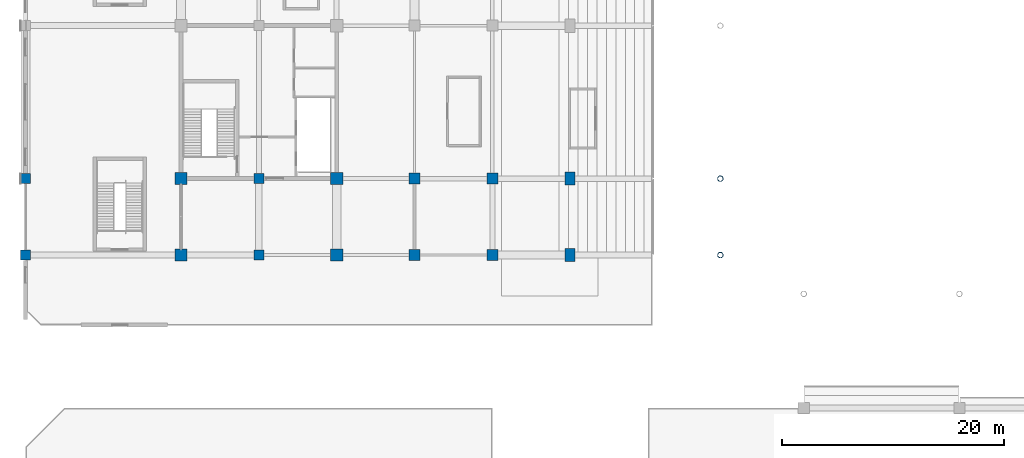
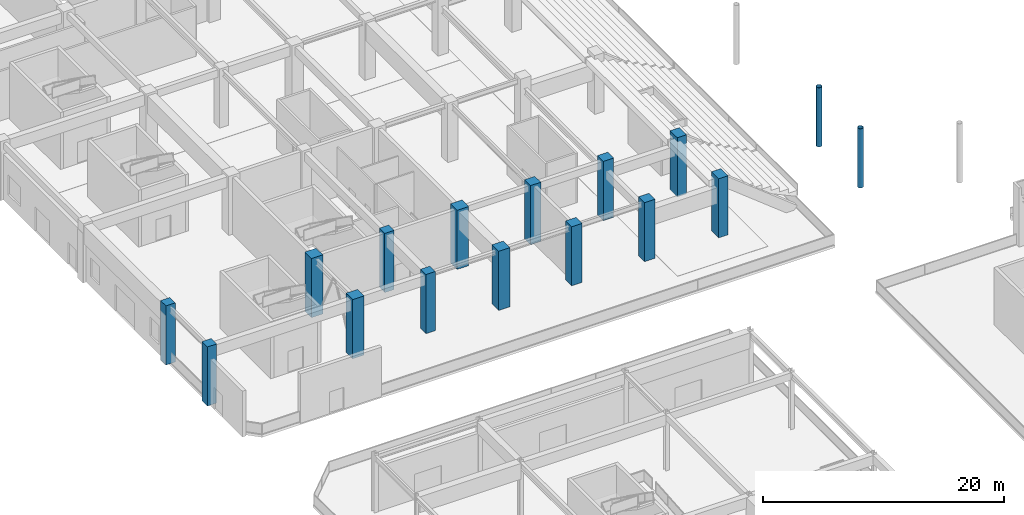
# One storey, part 3 of 73: 16 columns.
"""IFC4 building model written with IfcOpenShell, lengths in metres."""

from ifc_helpers import new_model, si_unit, direction, frame, origin, origin_2d, place, context, subcontext, project, spatial, rectangle, hollow_circle, extrude, material, material_profile, profile_set, type_object, element, save


model = new_model("IFC4")

# Units and contexts
model_context = context("Model", 3, precision=1e-05, world=origin(), true_north=direction((0.0, 1.0)))
body_context = subcontext(model_context, "Body", "Model", "MODEL_VIEW")
ifc_project = project(units=[si_unit("LENGTHUNIT", "METRE"), si_unit("AREAUNIT", "SQUARE_METRE"), si_unit("VOLUMEUNIT", "CUBIC_METRE"), si_unit("PLANEANGLEUNIT", "RADIAN"), si_unit("MASSUNIT", "GRAM", prefix="KILO")], contexts=[model_context])

# Site, building, storey
site_placement = place(None, origin())
site = spatial("IfcSite", under=ifc_project, at=site_placement, CompositionType="ELEMENT")
building_placement = place(site_placement, origin())
building = spatial("IfcBuilding", under=site, at=building_placement, Name="Linyun Crest Stadium", CompositionType="ELEMENT")
storey_placement = place(building_placement, origin())
storey = spatial("IfcBuildingStorey", under=building, at=storey_placement, Name="L01", CompositionType="ELEMENT", Elevation=0.0)

# Columns
ifc_material_1 = material(Name="Concrete C50", Category="concrete")
ifc_material_profile_1 = material_profile(ifc_material_1, rectangle(XDim=0.89990234375, YDim=0.89990234375, at=origin_2d()), Name="RC 900x900")
ifc_profile_set_1 = profile_set([ifc_material_profile_1], Name="Concrete C50")
column_type_1 = type_object("IfcColumnType", Name="C04", PredefinedType="COLUMN", material=ifc_profile_set_1)
for number, where, z_axis, x_axis, name in (
    (1, (-98.0, -46.0, 0.0), (0.0, 0.0, 1.0), (1.0, 0.0, 0.0), "Column C04 L01 2"),
    (2, (-98.0, -39.125, 0.0), (0.0, 0.0, 1.0), (1.0, 0.0, 0.0), "Column C04 L01 8"),
    (3, (-77.0, -46.0, 0.0), (0.0, 0.0, 1.0), (1.0, 0.0, 0.0), "Column C04 L01 106"),
    (4, (-77.0, -39.125, 0.0), (0.0, 0.0, 1.0), (1.0, 0.0, 0.0), "Column C04 L01 111"),
):
    element("IfcColumn", number, at=place(storey_placement, frame(where, z_axis=z_axis, x_axis=x_axis)), inside=storey, type_object=column_type_1, Name=name, PredefinedType="COLUMN", context=body_context, shape_type="SweptSolid", body=[
        extrude(rectangle(XDim=0.89990234375, YDim=0.89990234375, at=origin_2d()), origin(), (0.0, 0.0, 1.0), 5.998046875),
    ])
ifc_material_2 = material(Name="Concrete C50", Category="concrete")
ifc_material_profile_2 = material_profile(ifc_material_2, rectangle(XDim=1.0, YDim=1.0, at=origin_2d()), Name="RC 1000x1000")
ifc_profile_set_2 = profile_set([ifc_material_profile_2], Name="Concrete C50")
column_type_2 = type_object("IfcColumnType", Name="C05", PredefinedType="COLUMN", material=ifc_profile_set_2)
for number, where, z_axis, x_axis, name in (
    (5, (-63.0, -46.0, 0.0), (0.0, 0.0, 1.0), (1.0, 0.0, 0.0), "Column C05 L01 202"),
    (6, (-63.0, -39.125, 0.0), (0.0, 0.0, 1.0), (1.0, 0.0, 0.0), "Column C05 L01 207"),
    (7, (-56.0, -46.0, 0.0), (0.0, 0.0, 1.0), (1.0, 0.0, 0.0), "Column C05 L01 242"),
    (8, (-56.0, -39.125, 0.0), (0.0, 0.0, 1.0), (1.0, 0.0, 0.0), "Column C05 L01 246"),
):
    element("IfcColumn", number, at=place(storey_placement, frame(where, z_axis=z_axis, x_axis=x_axis)), inside=storey, type_object=column_type_2, Name=name, PredefinedType="COLUMN", context=body_context, shape_type="SweptSolid", body=[
        extrude(rectangle(XDim=1.0, YDim=1.0, at=origin_2d()), origin(), (0.0, 0.0, 1.0), 5.998046875),
    ])
ifc_material_3 = material(Name="Concrete C50", Category="concrete")
ifc_material_profile_3 = material_profile(ifc_material_3, rectangle(XDim=1.10009765625, YDim=1.10009765625, at=origin_2d()), Name="RC 1100x1100")
ifc_profile_set_3 = profile_set([ifc_material_profile_3], Name="Concrete C50")
column_type_3 = type_object("IfcColumnType", Name="C06", PredefinedType="COLUMN", material=ifc_profile_set_3)
for number, where, z_axis, x_axis, name in (
    (9, (-84.0, -46.0, 0.0), (0.0, 0.0, 1.0), (1.0, 0.0, 0.0), "Column C06 L01 50"),
    (10, (-84.0, -39.125, 0.0), (0.0, 0.0, 1.0), (1.0, 0.0, 0.0), "Column C06 L01 57"),
    (11, (-70.0, -46.0, 0.0), (0.0, 0.0, 1.0), (1.0, 0.0, 0.0), "Column C06 L01 146"),
    (12, (-70.0, -39.125, 0.0), (0.0, 0.0, 1.0), (1.0, 0.0, 0.0), "Column C06 L01 153"),
):
    element("IfcColumn", number, at=place(storey_placement, frame(where, z_axis=z_axis, x_axis=x_axis)), inside=storey, type_object=column_type_3, Name=name, PredefinedType="COLUMN", context=body_context, shape_type="SweptSolid", body=[
        extrude(rectangle(XDim=1.10009765625, YDim=1.10009765625, at=origin_2d()), origin(), (0.0, 0.0, 1.0), 5.998046875),
    ])
ifc_material_4 = material(Name="Concrete C50", Category="concrete")
ifc_material_profile_4 = material_profile(ifc_material_4, rectangle(XDim=0.89990234375, YDim=1.199951171875, at=origin_2d()), Name="RC 1200x900")
ifc_profile_set_4 = profile_set([ifc_material_profile_4], Name="Concrete C50")
column_type_4 = type_object("IfcColumnType", Name="C11", PredefinedType="COLUMN", material=ifc_profile_set_4)
for number, where, z_axis, x_axis, name in (
    (13, (-49.0, -46.0, 0.0), (0.0, 0.0, 1.0), (1.0, 0.0, 0.0), "Column C11 L01 274"),
    (14, (-49.0, -39.125, 0.0), (0.0, 0.0, 1.0), (1.0, 0.0, 0.0), "Column C11 L01 276"),
):
    element("IfcColumn", number, at=place(storey_placement, frame(where, z_axis=z_axis, x_axis=x_axis)), inside=storey, type_object=column_type_4, Name=name, PredefinedType="COLUMN", context=body_context, shape_type="SweptSolid", body=[
        extrude(rectangle(XDim=0.89990234375, YDim=1.199951171875, at=origin_2d()), origin(), (0.0, 0.0, 1.0), 6.0),
    ])
ifc_material_5 = material(Name="Steel Q355C", Category="steel")
ifc_material_profile_5 = material_profile(ifc_material_5, hollow_circle(Radius=0.25390625, WallThickness=0.02490234375, at=origin_2d()), Name="CHS 508x25")
ifc_profile_set_5 = profile_set([ifc_material_profile_5], Name="Steel Q355C")
column_type_5 = type_object("IfcColumnType", Name="SC05", PredefinedType="COLUMN", material=ifc_profile_set_5)
for number, where, z_axis, x_axis, name in (
    (15, (-35.5, -46.0, 0.0), (0.0, 0.0, 1.0), (1.0, 0.0, 0.0), "Arch colonnade column SC05 L01 2"),
    (16, (-35.5, -39.125, 0.0), (0.0, 0.0, 1.0), (1.0, 0.0, 0.0), "Arch colonnade column SC05 L01 4"),
):
    element("IfcColumn", number, at=place(storey_placement, frame(where, z_axis=z_axis, x_axis=x_axis)), inside=storey, type_object=column_type_5, Name=name, PredefinedType="COLUMN", context=body_context, shape_type="SweptSolid", body=[
        extrude(hollow_circle(Radius=0.25390625, WallThickness=0.02490234375, at=origin_2d()), origin(), (0.0, 0.0, 1.0), 6.0),
    ])

save(model, "model.ifc")
